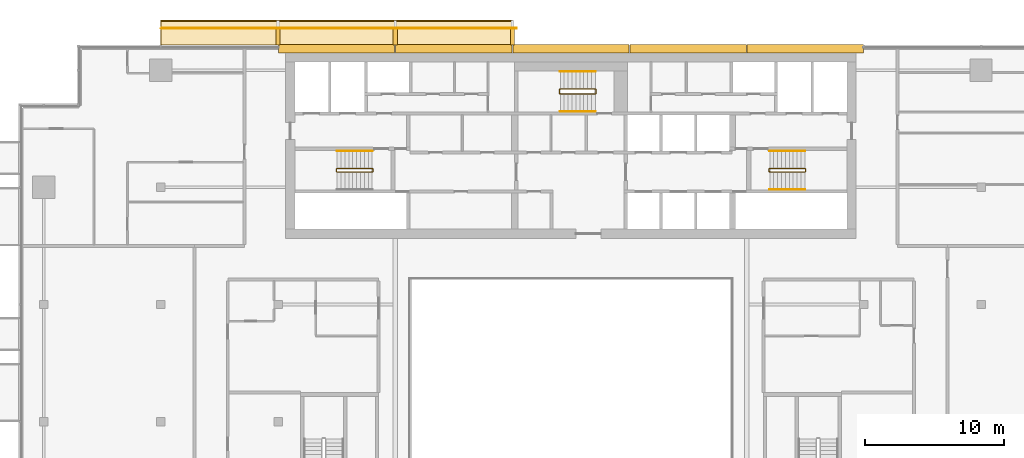
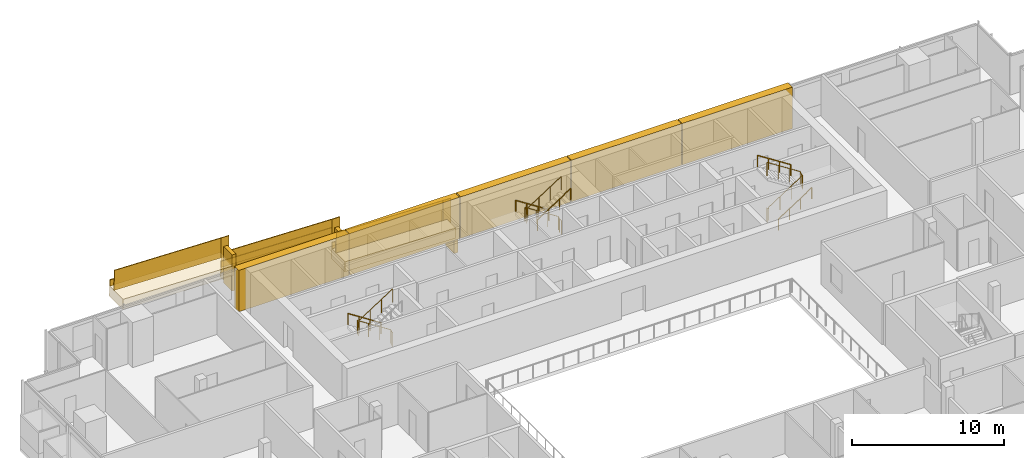
# One storey, part 26 of 27: 14 coverings, 14 railings.
"""IFC4 building model written with IfcOpenShell, lengths in metres."""

from ifc_helpers import new_model, si_unit, direction, frame, origin, origin_2d, place, context, subcontext, project, spatial, polyline, rectangle, circle, outline, extrude, material, layer, layer_set, type_object, element, save


model = new_model("IFC4")

# Units and contexts
model_context = context("Model", 3, precision=1e-05, world=origin(), true_north=direction((0.0, 1.0)))
body_context = subcontext(model_context, "Body", "Model", "MODEL_VIEW")
ifc_project = project(units=[si_unit("LENGTHUNIT", "METRE"), si_unit("AREAUNIT", "SQUARE_METRE"), si_unit("VOLUMEUNIT", "CUBIC_METRE"), si_unit("PLANEANGLEUNIT", "RADIAN"), si_unit("MASSUNIT", "GRAM", prefix="KILO")], contexts=[model_context])

# Site, building, storey
site_placement = place(None, origin())
site = spatial("IfcSite", under=ifc_project, at=site_placement, CompositionType="ELEMENT")
building_placement = place(site_placement, origin())
building = spatial("IfcBuilding", under=site, at=building_placement, Name="Saffron Gate Tower", CompositionType="ELEMENT")
storey_placement = place(building_placement, frame((0.0, 0.0, 212.699951171875)))
storey = spatial("IfcBuildingStorey", under=building, at=storey_placement, Name="L51", CompositionType="ELEMENT", Elevation=212.699951171875)

# Coverings
ifc_material_1 = material(Name="Ceramic-printed bronze insulated panel")
ifc_layer_1 = layer(ifc_material_1, 0.590087890625)
ifc_layer_set_1 = layer_set([ifc_layer_1], Name="CLD4 ceramic-printed cladding panel 590")
covering_type_1 = type_object("IfcCoveringType", Name="CLD4 ceramic-printed cladding panel 590", PredefinedType="CLADDING", material=ifc_layer_set_1)
covering_1_placement = place(storey_placement, origin())
element("IfcCovering", 1, at=covering_1_placement, inside=storey, type_object=covering_type_1, Name="CLADDING ceramic-printed panel", PredefinedType="CLADDING", context=body_context, shape_type="SweptSolid", body=[
    extrude(outline(polyline([(108.56494140625, 75.639892578125), (100.235107421875, 75.639892578125), (100.235107421875, 75.050048828125), (108.56494140625, 75.050048828125), (108.56494140625, 75.639892578125)])), origin(), (0.0, 0.0, 1.0), 3.320068359375),
])
covering_2_placement = place(storey_placement, origin())
element("IfcCovering", 2, at=covering_2_placement, inside=storey, type_object=covering_type_1, Name="CLADDING ceramic-printed panel", PredefinedType="CLADDING", context=body_context, shape_type="SweptSolid", body=[
    extrude(outline(polyline([(100.1650390625, 75.639892578125), (91.8349609375, 75.639892578125), (91.8349609375, 75.050048828125), (100.1650390625, 75.050048828125), (100.1650390625, 75.639892578125)])), origin(), (0.0, 0.0, 1.0), 3.320068359375),
])
covering_3_placement = place(storey_placement, origin())
element("IfcCovering", 3, at=covering_3_placement, inside=storey, type_object=covering_type_1, Name="CLADDING ceramic-printed panel", PredefinedType="CLADDING", context=body_context, shape_type="SweptSolid", body=[
    extrude(outline(polyline([(91.764892578125, 75.639892578125), (83.43505859375, 75.639892578125), (83.43505859375, 75.050048828125), (91.764892578125, 75.050048828125), (91.764892578125, 75.639892578125)])), origin(), (0.0, 0.0, 1.0), 3.320068359375),
])
covering_4_placement = place(storey_placement, origin())
element("IfcCovering", 4, at=covering_4_placement, inside=storey, type_object=covering_type_1, Name="CLADDING ceramic-printed panel", PredefinedType="CLADDING", context=body_context, shape_type="SweptSolid", body=[
    extrude(outline(polyline([(83.364990234375, 75.639892578125), (75.034912109375, 75.639892578125), (75.034912109375, 75.050048828125), (83.364990234375, 75.050048828125), (83.364990234375, 75.639892578125)])), origin(), (0.0, 0.0, 1.0), 3.320068359375),
])
covering_5_placement = place(storey_placement, origin())
element("IfcCovering", 5, at=covering_5_placement, inside=storey, type_object=covering_type_1, Name="CLADDING ceramic-printed panel", PredefinedType="CLADDING", context=body_context, shape_type="SweptSolid", body=[
    extrude(outline(polyline([(74.965087890625, 75.639892578125), (66.635009765625, 75.639892578125), (66.635009765625, 75.050048828125), (74.965087890625, 75.050048828125), (74.965087890625, 75.639892578125)])), origin(), (0.0, 0.0, 1.0), 3.320068359375),
])

# Railings
ifc_material_2 = material(Name="Stainless steel and laminated glass", Category="steel")
railing_type_1 = type_object("IfcRailingType", Name="CR1 Stair guard 1100", PredefinedType="GUARDRAIL", material=ifc_material_2)
railing_1_placement = place(storey_placement, frame((73.39990234375, 66.550048828125, 0.0)))
element("IfcRailing", 6, at=railing_1_placement, inside=storey, type_object=railing_type_1, Name="L51 ST-A stair guard 1", PredefinedType="GUARDRAIL", context=body_context, shape_type="SweptSolid", body=[
    extrude(circle(Radius=0.02392578125, at=origin_2d()), frame((0.0, 0.0, 1.076171875), z_axis=(0.0, 1.0, 0.0), x_axis=(-1.0, 0.0, 0.0)), (0.0, 0.0, 1.0), 0.14990234375),
    extrude(circle(Radius=0.02392578125, at=origin_2d()), frame((0.0, 0.14990234375, 1.076171875), z_axis=(-0.257669022063, 0.258932105505, 0.930892496375), x_axis=(-0.708833529934, -0.705375805398, 0.0)), (0.0, 0.0, 1.0), 0.193359375),
    extrude(circle(Radius=0.02392578125, at=origin_2d()), frame((-0.0498046875, 0.199951171875, 1.255859375), z_axis=(-0.841162588446, 0.0, 0.540782303519), x_axis=(0.0, -1.0, 0.0)), (0.0, 0.0, 1.0), 2.995849609375),
    extrude(circle(Radius=0.02392578125, at=origin_2d()), frame((-2.56982421875, 0.199951171875, 2.8759765625), z_axis=(-0.707106781187, -0.707106781187, 0.0), x_axis=(0.707106781187, -0.707106781187, 0.0)), (0.0, 0.0, 1.0), 0.07080078125),
    extrude(circle(Radius=0.02392578125, at=origin_2d()), frame((-2.619873046875, 0.14990234375, 2.8759765625), z_axis=(0.0, -1.0, 0.0), x_axis=(1.0, 0.0, 0.0)), (0.0, 0.0, 1.0), 0.14990234375),
    extrude(circle(Radius=0.02392578125, at=origin_2d()), frame((-2.619873046875, 0.0, 2.8759765625), z_axis=(0.258847668887, -0.258847668887, 0.930588936439), x_axis=(0.707106781187, 0.707106781187, 0.0)), (0.0, 0.0, 1.0), 0.193359375),
    extrude(circle(Radius=0.02392578125, at=origin_2d()), frame((-2.56982421875, -0.050048828125, 3.05615234375), z_axis=(0.841162588446, 0.0, 0.540782303519), x_axis=(0.0, 1.0, 0.0)), (0.0, 0.0, 1.0), 2.995849609375),
    extrude(circle(Radius=0.02099609375, at=origin_2d()), origin(), (0.0, 0.0, 1.0), 1.052001953125),
    extrude(circle(Radius=0.02099609375, at=origin_2d()), frame((0.0, 0.14990234375, 0.0)), (0.0, 0.0, 1.0), 1.052001953125),
    extrude(circle(Radius=0.02099609375, at=origin_2d()), frame((-0.0498046875, 0.199951171875, 0.179931640625)), (0.0, 0.0, 1.0), 1.052001953125),
    extrude(circle(Radius=0.02099609375, at=origin_2d()), frame((-0.889892578125, 0.199951171875, 0.719970703125)), (0.0, 0.0, 1.0), 1.052001953125),
    extrude(circle(Radius=0.02099609375, at=origin_2d()), frame((-1.729736328125, 0.199951171875, 1.260009765625)), (0.0, 0.0, 1.0), 1.052001953125),
    extrude(circle(Radius=0.02099609375, at=origin_2d()), frame((-2.56982421875, 0.199951171875, 1.800048828125)), (0.0, 0.0, 1.0), 1.052001953125),
    extrude(circle(Radius=0.02099609375, at=origin_2d()), frame((-2.619873046875, 0.14990234375, 1.800048828125)), (0.0, 0.0, 1.0), 1.052001953125),
    extrude(circle(Radius=0.02099609375, at=origin_2d()), frame((-2.619873046875, 0.0, 1.800048828125)), (0.0, 0.0, 1.0), 1.052001953125),
    extrude(circle(Radius=0.02099609375, at=origin_2d()), frame((-2.56982421875, -0.050048828125, 1.97998046875)), (0.0, 0.0, 1.0), 1.052001953125),
    extrude(circle(Radius=0.02099609375, at=origin_2d()), frame((-1.729736328125, -0.050048828125, 2.52001953125)), (0.0, 0.0, 1.0), 1.052001953125),
    extrude(circle(Radius=0.02099609375, at=origin_2d()), frame((-0.889892578125, -0.050048828125, 3.06005859375)), (0.0, 0.0, 1.0), 1.052001953125),
    extrude(circle(Radius=0.02099609375, at=origin_2d()), frame((-0.0498046875, -0.050048828125, 3.60009765625)), (0.0, 0.0, 1.0), 1.052001953125),
])
railing_2_placement = place(storey_placement, frame((101.800048828125, 66.699951171875, 0.0)))
element("IfcRailing", 7, at=railing_2_placement, inside=storey, type_object=railing_type_1, Name="L51 ST-B stair guard 1", PredefinedType="GUARDRAIL", context=body_context, shape_type="SweptSolid", body=[
    extrude(circle(Radius=0.02392578125, at=origin_2d()), frame((0.0, 0.0, 1.076171875), z_axis=(0.0, -1.0, 0.0), x_axis=(1.0, 0.0, 0.0)), (0.0, 0.0, 1.0), 0.14990234375),
    extrude(circle(Radius=0.02392578125, at=origin_2d()), frame((0.0, -0.14990234375, 1.076171875), z_axis=(0.258847668887, -0.258847668887, 0.930588936439), x_axis=(0.707106781187, 0.707106781187, 0.0)), (0.0, 0.0, 1.0), 0.193359375),
    extrude(circle(Radius=0.02392578125, at=origin_2d()), frame((0.050048828125, -0.199951171875, 1.255859375), z_axis=(0.841162588446, 0.0, 0.540782303519), x_axis=(0.0, 1.0, 0.0)), (0.0, 0.0, 1.0), 2.995849609375),
    extrude(circle(Radius=0.02392578125, at=origin_2d()), frame((2.570068359375, -0.199951171875, 2.8759765625), z_axis=(0.705375805398, 0.708833529934, 0.0), x_axis=(-0.708833529934, 0.705375805398, 0.0)), (0.0, 0.0, 1.0), 0.070556640625),
    extrude(circle(Radius=0.02392578125, at=origin_2d()), frame((2.619873046875, -0.14990234375, 2.8759765625), z_axis=(0.0, 1.0, 0.0), x_axis=(-1.0, 0.0, 0.0)), (0.0, 0.0, 1.0), 0.14990234375),
    extrude(circle(Radius=0.02392578125, at=origin_2d()), frame((2.619873046875, 0.0, 2.8759765625), z_axis=(-0.257669022063, 0.258932105505, 0.930892496375), x_axis=(-0.708833529934, -0.705375805398, 0.0)), (0.0, 0.0, 1.0), 0.193359375),
    extrude(circle(Radius=0.02392578125, at=origin_2d()), frame((2.570068359375, 0.050048828125, 3.05615234375), z_axis=(-0.841162588446, 0.0, 0.540782303519), x_axis=(0.0, -1.0, 0.0)), (0.0, 0.0, 1.0), 2.995849609375),
    extrude(circle(Radius=0.02099609375, at=origin_2d()), origin(), (0.0, 0.0, 1.0), 1.052001953125),
    extrude(circle(Radius=0.02099609375, at=origin_2d()), frame((0.0, -0.14990234375, 0.0)), (0.0, 0.0, 1.0), 1.052001953125),
    extrude(circle(Radius=0.02099609375, at=origin_2d()), frame((0.050048828125, -0.199951171875, 0.179931640625)), (0.0, 0.0, 1.0), 1.052001953125),
    extrude(circle(Radius=0.02099609375, at=origin_2d()), frame((0.89013671875, -0.199951171875, 0.719970703125)), (0.0, 0.0, 1.0), 1.052001953125),
    extrude(circle(Radius=0.02099609375, at=origin_2d()), frame((1.72998046875, -0.199951171875, 1.260009765625)), (0.0, 0.0, 1.0), 1.052001953125),
    extrude(circle(Radius=0.02099609375, at=origin_2d()), frame((2.570068359375, -0.199951171875, 1.800048828125)), (0.0, 0.0, 1.0), 1.052001953125),
    extrude(circle(Radius=0.02099609375, at=origin_2d()), frame((2.619873046875, -0.14990234375, 1.800048828125)), (0.0, 0.0, 1.0), 1.052001953125),
    extrude(circle(Radius=0.02099609375, at=origin_2d()), frame((2.619873046875, 0.0, 1.800048828125)), (0.0, 0.0, 1.0), 1.052001953125),
    extrude(circle(Radius=0.02099609375, at=origin_2d()), frame((2.570068359375, 0.050048828125, 1.97998046875)), (0.0, 0.0, 1.0), 1.052001953125),
    extrude(circle(Radius=0.02099609375, at=origin_2d()), frame((1.72998046875, 0.050048828125, 2.52001953125)), (0.0, 0.0, 1.0), 1.052001953125),
    extrude(circle(Radius=0.02099609375, at=origin_2d()), frame((0.89013671875, 0.050048828125, 3.06005859375)), (0.0, 0.0, 1.0), 1.052001953125),
    extrude(circle(Radius=0.02099609375, at=origin_2d()), frame((0.050048828125, 0.050048828125, 3.60009765625)), (0.0, 0.0, 1.0), 1.052001953125),
])
railing_3_placement = place(storey_placement, frame((89.39990234375, 72.14990234375, 0.0)))
element("IfcRailing", 8, at=railing_3_placement, inside=storey, type_object=railing_type_1, Name="L51 ST-C stair guard 1", PredefinedType="GUARDRAIL", context=body_context, shape_type="SweptSolid", body=[
    extrude(circle(Radius=0.02392578125, at=origin_2d()), frame((0.0, 0.0, 1.076171875), z_axis=(0.0, 1.0, 0.0), x_axis=(-1.0, 0.0, 0.0)), (0.0, 0.0, 1.0), 0.25),
    extrude(circle(Radius=0.02392578125, at=origin_2d()), frame((0.0, 0.25, 1.076171875), z_axis=(-0.257669022063, 0.258932105505, 0.930892496375), x_axis=(-0.708833529934, -0.705375805398, 0.0)), (0.0, 0.0, 1.0), 0.193359375),
    extrude(circle(Radius=0.02392578125, at=origin_2d()), frame((-0.0498046875, 0.300048828125, 1.255859375), z_axis=(-0.841162588446, 0.0, 0.540782303519), x_axis=(0.0, -1.0, 0.0)), (0.0, 0.0, 1.0), 2.995849609375),
    extrude(circle(Radius=0.02392578125, at=origin_2d()), frame((-2.56982421875, 0.300048828125, 2.8759765625), z_axis=(-0.707106781187, -0.707106781187, 0.0), x_axis=(0.707106781187, -0.707106781187, 0.0)), (0.0, 0.0, 1.0), 0.07080078125),
    extrude(circle(Radius=0.02392578125, at=origin_2d()), frame((-2.619873046875, 0.25, 2.8759765625), z_axis=(0.0, -1.0, 0.0), x_axis=(1.0, 0.0, 0.0)), (0.0, 0.0, 1.0), 0.25),
    extrude(circle(Radius=0.02392578125, at=origin_2d()), frame((-2.619873046875, 0.0, 2.8759765625), z_axis=(0.258932105505, -0.257669022063, 0.930892496375), x_axis=(0.705375805398, 0.708833529934, 0.0)), (0.0, 0.0, 1.0), 0.193359375),
    extrude(circle(Radius=0.02392578125, at=origin_2d()), frame((-2.56982421875, -0.0498046875, 3.05615234375), z_axis=(0.841162588446, 0.0, 0.540782303519), x_axis=(0.0, 1.0, 0.0)), (0.0, 0.0, 1.0), 2.995849609375),
    extrude(circle(Radius=0.02099609375, at=origin_2d()), origin(), (0.0, 0.0, 1.0), 1.052001953125),
    extrude(circle(Radius=0.02099609375, at=origin_2d()), frame((0.0, 0.25, 0.0)), (0.0, 0.0, 1.0), 1.052001953125),
    extrude(circle(Radius=0.02099609375, at=origin_2d()), frame((-0.0498046875, 0.300048828125, 0.179931640625)), (0.0, 0.0, 1.0), 1.052001953125),
    extrude(circle(Radius=0.02099609375, at=origin_2d()), frame((-0.889892578125, 0.300048828125, 0.719970703125)), (0.0, 0.0, 1.0), 1.052001953125),
    extrude(circle(Radius=0.02099609375, at=origin_2d()), frame((-1.729736328125, 0.300048828125, 1.260009765625)), (0.0, 0.0, 1.0), 1.052001953125),
    extrude(circle(Radius=0.02099609375, at=origin_2d()), frame((-2.56982421875, 0.300048828125, 1.800048828125)), (0.0, 0.0, 1.0), 1.052001953125),
    extrude(circle(Radius=0.02099609375, at=origin_2d()), frame((-2.619873046875, 0.25, 1.800048828125)), (0.0, 0.0, 1.0), 1.052001953125),
    extrude(circle(Radius=0.02099609375, at=origin_2d()), frame((-2.619873046875, 0.0, 1.800048828125)), (0.0, 0.0, 1.0), 1.052001953125),
    extrude(circle(Radius=0.02099609375, at=origin_2d()), frame((-2.56982421875, -0.0498046875, 1.97998046875)), (0.0, 0.0, 1.0), 1.052001953125),
    extrude(circle(Radius=0.02099609375, at=origin_2d()), frame((-1.729736328125, -0.0498046875, 2.52001953125)), (0.0, 0.0, 1.0), 1.052001953125),
    extrude(circle(Radius=0.02099609375, at=origin_2d()), frame((-0.889892578125, -0.0498046875, 3.06005859375)), (0.0, 0.0, 1.0), 1.052001953125),
    extrude(circle(Radius=0.02099609375, at=origin_2d()), frame((-0.0498046875, -0.0498046875, 3.60009765625)), (0.0, 0.0, 1.0), 1.052001953125),
])
ifc_material_3 = material(Name="Stainless steel", Category="steel")
railing_type_2 = type_object("IfcRailingType", Name="CR2 Stair handrail 900", PredefinedType="HANDRAIL", material=ifc_material_3)
railing_4_placement = place(storey_placement, frame((73.35009765625, 68.0, 0.179931640625)))
element("IfcRailing", 9, at=railing_4_placement, inside=storey, type_object=railing_type_2, Name="L51 ST-A stair handrail 1", PredefinedType="HANDRAIL", context=body_context, shape_type="SweptSolid", body=[
    extrude(circle(Radius=0.02392578125, at=origin_2d()), frame((0.0, 0.0, 0.8759765625), z_axis=(-0.841162588446, 0.0, 0.540782303519), x_axis=(0.0, -1.0, 0.0)), (0.0, 0.0, 1.0), 2.995849609375),
    extrude(circle(Radius=0.02099609375, at=origin_2d()), origin(), (0.0, 0.0, 1.0), 0.851806640625),
    extrude(circle(Radius=0.02099609375, at=origin_2d()), frame((-0.840087890625, 0.0, 0.5400390625)), (0.0, 0.0, 1.0), 0.851806640625),
    extrude(circle(Radius=0.02099609375, at=origin_2d()), frame((-1.679931640625, 0.0, 1.080078125)), (0.0, 0.0, 1.0), 0.851806640625),
    extrude(circle(Radius=0.02099609375, at=origin_2d()), frame((-2.52001953125, 0.0, 1.6201171875)), (0.0, 0.0, 1.0), 0.851806640625),
])
railing_5_placement = place(storey_placement, frame((101.85009765625, 65.25, 0.179931640625)))
element("IfcRailing", 10, at=railing_5_placement, inside=storey, type_object=railing_type_2, Name="L51 ST-B stair handrail 1", PredefinedType="HANDRAIL", context=body_context, shape_type="SweptSolid", body=[
    extrude(circle(Radius=0.02392578125, at=origin_2d()), frame((0.0, 0.0, 0.8759765625), z_axis=(0.841162588446, 0.0, 0.540782303519), x_axis=(0.0, 1.0, 0.0)), (0.0, 0.0, 1.0), 2.995849609375),
    extrude(circle(Radius=0.02099609375, at=origin_2d()), origin(), (0.0, 0.0, 1.0), 0.851806640625),
    extrude(circle(Radius=0.02099609375, at=origin_2d()), frame((0.840087890625, 0.0, 0.5400390625)), (0.0, 0.0, 1.0), 0.851806640625),
    extrude(circle(Radius=0.02099609375, at=origin_2d()), frame((1.679931640625, 0.0, 1.080078125)), (0.0, 0.0, 1.0), 0.851806640625),
    extrude(circle(Radius=0.02099609375, at=origin_2d()), frame((2.52001953125, 0.0, 1.6201171875)), (0.0, 0.0, 1.0), 0.851806640625),
])
for number, where, name in (
    (11, (104.3701171875, 68.0, 1.97998046875), "L51 ST-B stair handrail 2"),
    (12, (89.35009765625, 73.699951171875, 0.179931640625), "L51 ST-C stair handrail 1"),
):
    element("IfcRailing", number, at=place(storey_placement, frame(where)), inside=storey, type_object=railing_type_2, Name=name, PredefinedType="HANDRAIL", context=body_context, shape_type="SweptSolid", body=[
        extrude(circle(Radius=0.02392578125, at=origin_2d()), frame((0.0, 0.0, 0.8759765625), z_axis=(-0.841162588446, 0.0, 0.540782303519), x_axis=(0.0, -1.0, 0.0)), (0.0, 0.0, 1.0), 2.995849609375),
        extrude(circle(Radius=0.02099609375, at=origin_2d()), origin(), (0.0, 0.0, 1.0), 0.851806640625),
        extrude(circle(Radius=0.02099609375, at=origin_2d()), frame((-0.840087890625, 0.0, 0.5400390625)), (0.0, 0.0, 1.0), 0.851806640625),
        extrude(circle(Radius=0.02099609375, at=origin_2d()), frame((-1.679931640625, 0.0, 1.080078125)), (0.0, 0.0, 1.0), 0.851806640625),
        extrude(circle(Radius=0.02099609375, at=origin_2d()), frame((-2.52001953125, 0.0, 1.6201171875)), (0.0, 0.0, 1.0), 0.851806640625),
    ])
railing_6_placement = place(storey_placement, frame((86.830078125, 70.85009765625, 1.97998046875)))
element("IfcRailing", 13, at=railing_6_placement, inside=storey, type_object=railing_type_2, Name="L51 ST-C stair handrail 2", PredefinedType="HANDRAIL", context=body_context, shape_type="SweptSolid", body=[
    extrude(circle(Radius=0.02392578125, at=origin_2d()), frame((0.0, 0.0, 0.8759765625), z_axis=(0.841162588446, 0.0, 0.540782303519), x_axis=(0.0, 1.0, 0.0)), (0.0, 0.0, 1.0), 2.995849609375),
    extrude(circle(Radius=0.02099609375, at=origin_2d()), origin(), (0.0, 0.0, 1.0), 0.851806640625),
    extrude(circle(Radius=0.02099609375, at=origin_2d()), frame((0.840087890625, 0.0, 0.5400390625)), (0.0, 0.0, 1.0), 0.851806640625),
    extrude(circle(Radius=0.02099609375, at=origin_2d()), frame((1.679931640625, 0.0, 1.080078125)), (0.0, 0.0, 1.0), 0.851806640625),
    extrude(circle(Radius=0.02099609375, at=origin_2d()), frame((2.52001953125, 0.0, 1.6201171875)), (0.0, 0.0, 1.0), 0.851806640625),
])

# Coverings
ifc_material_4 = material(Name="Timber, thermally modified ash", Category="wood")
ifc_layer_2 = layer(ifc_material_4, 0.800048828125)
ifc_layer_set_2 = layer_set([ifc_layer_2], Name="LD1 ledge timber")
covering_type_2 = type_object("IfcCoveringType", Name="LD1 ledge timber", PredefinedType="CLADDING", material=ifc_layer_set_2)
for number, where, z_axis, x_axis, name in (
    (14, (83.39990234375, 75.60009765625, 0.499755859375), (0.028791175352, 0.0, 0.999585448184), (-0.999585448184, 0.0, 0.028791175352), "LEDGE"),
    (15, (75.0, 75.60009765625, 1.94189453125), (0.028791175352, 0.0, 0.999585448184), (-0.999585448184, 0.0, 0.028791175352), "LEDGE"),
):
    element("IfcCovering", number, at=place(storey_placement, frame(where, z_axis=z_axis, x_axis=x_axis)), inside=storey, type_object=covering_type_2, Name=name, PredefinedType="CLADDING", context=body_context, shape_type="SweptSolid", body=[
        extrude(outline(polyline([(0.0, 0.0), (8.403385982666892, 0.0), (8.403385982666892, -1.7998046875), (0.0, -1.7998046875), (0.0, 0.0)])), origin(), (0.0, 0.0, -1.0), 0.800048828125),
    ])
covering_6_placement = place(storey_placement, frame((66.60009765625, 75.60009765625, 3.38427734375), z_axis=(0.028790339263, 0.0, 0.999585472266), x_axis=(-0.999585472266, 0.0, 0.028790339263)))
element("IfcCovering", 16, at=covering_6_placement, inside=storey, type_object=covering_type_2, Name="LEDGE", PredefinedType="CLADDING", context=body_context, shape_type="SweptSolid", body=[
    extrude(outline(polyline([(0.0, 0.0), (8.403630022085892, 0.0), (8.403630022085892, -1.7998046875), (0.0, -1.7998046875), (0.0, 0.0)])), origin(), (0.0, 0.0, -1.0), 0.800048828125),
])
ifc_layer_3 = layer(ifc_material_4, 0.080078125)
ifc_layer_set_3 = layer_set([ifc_layer_3], Name="LD2 ledge planter trough")
covering_type_3 = type_object("IfcCoveringType", Name="LD2 ledge planter trough", PredefinedType="CLADDING", material=ifc_layer_set_3)
for number, where, z_axis, x_axis, name in (
    (17, (83.39990234375, 77.39990234375, 0.499755859375), (0.0, 1.0, 0.0), (-0.999585448184, 0.0, 0.028791175352), "LEDGE planter trough"),
    (18, (75.0, 77.39990234375, 1.94189453125), (0.0, 1.0, 0.0), (-0.999585448184, 0.0, 0.028791175352), "LEDGE planter trough"),
):
    element("IfcCovering", number, at=place(storey_placement, frame(where, z_axis=z_axis, x_axis=x_axis)), inside=storey, type_object=covering_type_3, Name=name, PredefinedType="CLADDING", context=body_context, shape_type="SweptSolid", body=[
        extrude(outline(polyline([(0.0, 0.0), (8.403385982666892, 0.0), (8.417781570342743, 0.49979272409216496), (0.014395587675851172, 0.4997927240921649), (0.0, 0.0)])), origin(), (0.0, 0.0, -1.0), 0.080078125),
    ])
covering_7_placement = place(storey_placement, frame((66.60009765625, 77.39990234375, 3.38427734375), z_axis=(0.0, 1.0, 0.0), x_axis=(-0.999585472266, 0.0, 0.028790339263)))
element("IfcCovering", 19, at=covering_7_placement, inside=storey, type_object=covering_type_3, Name="LEDGE planter trough", PredefinedType="CLADDING", context=body_context, shape_type="SweptSolid", body=[
    extrude(outline(polyline([(0.0, 0.0), (8.403630022085892, 0.0), (8.418025191717298, 0.4997927361329725), (0.014395169631405694, 0.4997927361329725), (0.0, 0.0)])), origin(), (0.0, 0.0, -1.0), 0.080078125),
])
ifc_layer_4 = layer(ifc_material_4, 0.300048828125)
ifc_layer_set_4 = layer_set([ifc_layer_4], Name="LD3 ledge riser fin")
covering_type_4 = type_object("IfcCoveringType", Name="LD3 ledge riser fin", PredefinedType="CLADDING", material=ifc_layer_set_4)
for number, where, z_axis, x_axis, name in (
    (20, (83.39990234375, 76.159912109375, -1.500732421875), (0.0, 0.0, 1.0), (-1.0, 0.0, 0.0), "LEDGE riser fin"),
    (21, (75.0, 76.159912109375, -0.058349609375), (0.0, 0.0, 1.0), (-1.0, 0.0, 0.0), "LEDGE riser fin"),
    (22, (66.60009765625, 76.159912109375, 1.384033203125), (0.0, 0.0, 1.0), (-1.0, 0.0, 0.0), "LEDGE riser fin"),
):
    element("IfcCovering", number, at=place(storey_placement, frame(where, z_axis=z_axis, x_axis=x_axis)), inside=storey, type_object=covering_type_4, Name=name, PredefinedType="CLADDING", context=body_context, shape_type="SweptSolid", body=[
        extrude(rectangle(XDim=0.300048828125, YDim=1.1201171875, at=origin_2d()), origin(), (0.0, 0.0, 1.0), 2.900390625),
    ])

# Railings
railing_type_3 = type_object("IfcRailingType", Name="LG1 ledge balustrade", PredefinedType="BALUSTRADE", material=ifc_material_4)
railing_7_placement = place(storey_placement, frame((83.39990234375, 76.800048828125, 0.499755859375)))
element("IfcRailing", 23, at=railing_7_placement, inside=storey, type_object=railing_type_3, Name="LEDGE BALUSTRADE", PredefinedType="BALUSTRADE", context=body_context, shape_type="SweptSolid", body=[
    extrude(rectangle(XDim=0.06005859375, YDim=1.60009765625, at=origin_2d()), frame((0.0, 0.0, 0.800048828125), z_axis=(-0.999585448184, 0.0, 0.028791175352), x_axis=(0.0, -1.0, 0.0)), (0.0, 0.0, 1.0), 8.4033203125),
])
railing_8_placement = place(storey_placement, frame((83.699951171875, 76.800048828125, -0.70068359375)))
element("IfcRailing", 24, at=railing_8_placement, inside=storey, type_object=railing_type_3, Name="LEDGE BALUSTRADE", PredefinedType="BALUSTRADE", context=body_context, shape_type="SweptSolid", body=[
    extrude(rectangle(XDim=0.06005859375, YDim=2.80029296875, at=origin_2d()), frame((0.0, 0.0, 1.400146484375), z_axis=(-1.0, 0.0, 0.0), x_axis=(0.0, -1.0, 0.0)), (0.0, 0.0, 1.0), 0.599853515625),
])
railing_9_placement = place(storey_placement, frame((75.0, 76.800048828125, 1.94189453125)))
element("IfcRailing", 25, at=railing_9_placement, inside=storey, type_object=railing_type_3, Name="LEDGE BALUSTRADE", PredefinedType="BALUSTRADE", context=body_context, shape_type="SweptSolid", body=[
    extrude(rectangle(XDim=0.06005859375, YDim=1.60009765625, at=origin_2d()), frame((0.0, 0.0, 0.800048828125), z_axis=(-0.999585448184, 0.0, 0.028791175352), x_axis=(0.0, -1.0, 0.0)), (0.0, 0.0, 1.0), 8.4033203125),
])
railing_10_placement = place(storey_placement, frame((75.300048828125, 76.800048828125, 0.74169921875)))
element("IfcRailing", 26, at=railing_10_placement, inside=storey, type_object=railing_type_3, Name="LEDGE BALUSTRADE", PredefinedType="BALUSTRADE", context=body_context, shape_type="SweptSolid", body=[
    extrude(rectangle(XDim=0.06005859375, YDim=2.80029296875, at=origin_2d()), frame((0.0, 0.0, 1.400146484375), z_axis=(-1.0, 0.0, 0.0), x_axis=(0.0, -1.0, 0.0)), (0.0, 0.0, 1.0), 0.60009765625),
])
railing_11_placement = place(storey_placement, frame((66.60009765625, 76.800048828125, 3.38427734375)))
element("IfcRailing", 27, at=railing_11_placement, inside=storey, type_object=railing_type_3, Name="LEDGE BALUSTRADE", PredefinedType="BALUSTRADE", context=body_context, shape_type="SweptSolid", body=[
    extrude(rectangle(XDim=0.06005859375, YDim=1.60009765625, at=origin_2d()), frame((0.0, 0.0, 0.800048828125), z_axis=(-0.999585472266, 0.0, 0.028790339263), x_axis=(0.0, -1.0, 0.0)), (0.0, 0.0, 1.0), 8.403564453125),
])
railing_12_placement = place(storey_placement, frame((66.89990234375, 76.800048828125, 2.183837890625)))
element("IfcRailing", 28, at=railing_12_placement, inside=storey, type_object=railing_type_3, Name="LEDGE BALUSTRADE", PredefinedType="BALUSTRADE", context=body_context, shape_type="SweptSolid", body=[
    extrude(rectangle(XDim=0.06005859375, YDim=2.80029296875, at=origin_2d()), frame((0.0, 0.0, 1.400146484375), z_axis=(-1.0, 0.0, 0.0), x_axis=(0.0, -1.0, 0.0)), (0.0, 0.0, 1.0), 0.599853515625),
])

save(model, "model.ifc")
